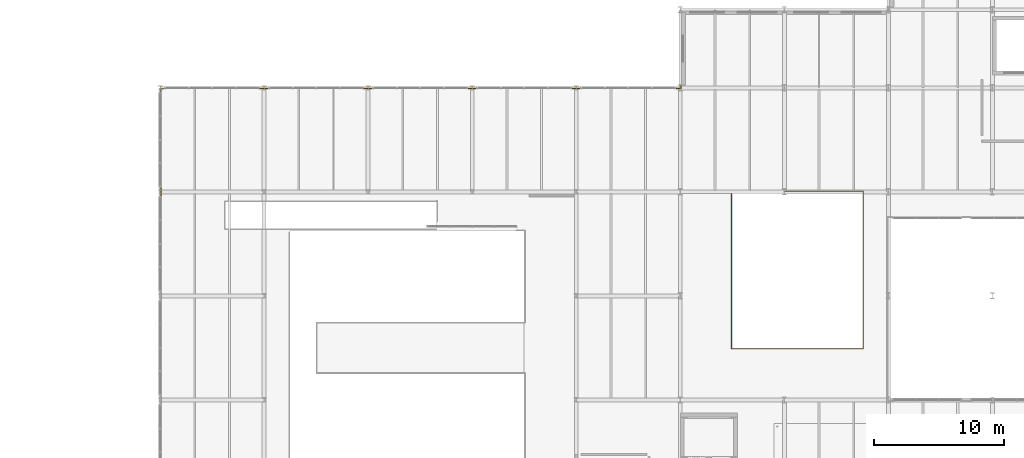
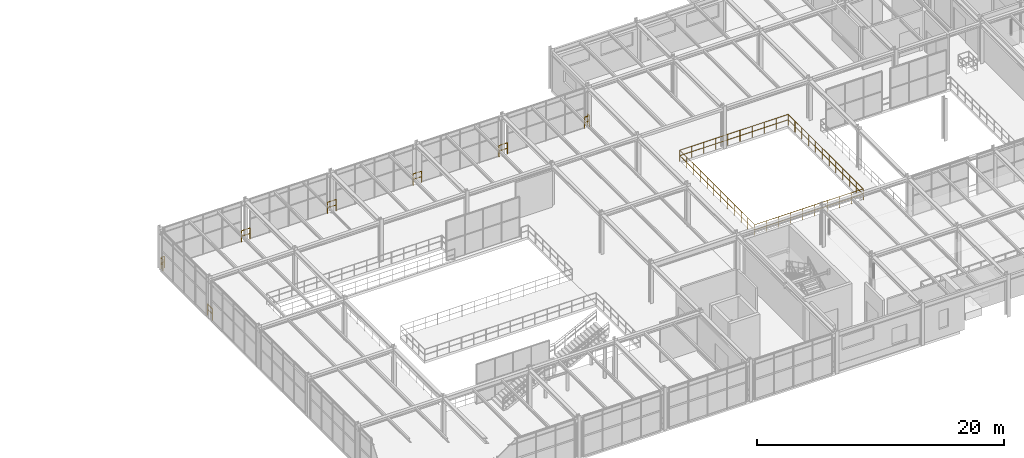
# One storey, part 118 of 124: 8 railings.
"""IFC4 building model written with IfcOpenShell, lengths in metres."""

from ifc_helpers import new_model, si_unit, direction, frame, origin, origin_2d, place, context, subcontext, project, spatial, circle, extrude, material, type_object, element, save


model = new_model("IFC4")

# Units and contexts
model_context = context("Model", 3, precision=1e-05, world=origin(), true_north=direction((0.0, 1.0)))
body_context = subcontext(model_context, "Body", "Model", "MODEL_VIEW")
ifc_project = project(units=[si_unit("LENGTHUNIT", "METRE"), si_unit("AREAUNIT", "SQUARE_METRE"), si_unit("VOLUMEUNIT", "CUBIC_METRE"), si_unit("PLANEANGLEUNIT", "RADIAN"), si_unit("MASSUNIT", "GRAM", prefix="KILO")], contexts=[model_context])

# Site, building, storey
site_placement = place(None, origin())
site = spatial("IfcSite", under=ifc_project, at=site_placement, CompositionType="ELEMENT")
building_placement = place(site_placement, origin())
building = spatial("IfcBuilding", under=site, at=building_placement, Name="Sundkrona Museum", CompositionType="ELEMENT")
storey_placement = place(building_placement, frame((0.0, 0.0, 17.60009765625)))
storey = spatial("IfcBuildingStorey", under=building, at=storey_placement, Name="L03", CompositionType="ELEMENT", Elevation=17.60009765625)

# Railings
ifc_material = material(Name="Painted Steel S355J2 and Laminated Glass Balustrade", Category="steel")
railing_type = type_object("IfcRailingType", Name="RL-GUARD-1100", PredefinedType="BALUSTRADE", material=ifc_material)
railing_1_placement = place(storey_placement, frame((80.06005859375, 31.60009765625, 0.0)))
element("IfcRailing", 1, at=railing_1_placement, inside=storey, type_object=railing_type, Name="L03 Edge Protection Balustrade 021", PredefinedType="BALUSTRADE", context=body_context, shape_type="SweptSolid", body=[
    extrude(circle(Radius=0.02392578125, at=origin_2d()), frame((0.0, 0.0, 1.09619140625), z_axis=(0.0, 1.0, 0.0), x_axis=(-1.0, 0.0, 0.0)), (0.0, 0.0, 1.0), 0.7998046875),
    extrude(circle(Radius=0.02392578125, at=origin_2d()), frame((0.0, 0.0, 0.56005859375), z_axis=(0.0, 1.0, 0.0), x_axis=(-1.0, 0.0, 0.0)), (0.0, 0.0, 1.0), 0.7998046875),
    extrude(circle(Radius=0.02099609375, at=origin_2d()), origin(), (0.0, 0.0, 1.0), 1.072021484375),
    extrude(circle(Radius=0.02099609375, at=origin_2d()), frame((0.0, 0.7998046875, 0.0)), (0.0, 0.0, 1.0), 1.072021484375),
])
railing_2_placement = place(storey_placement, frame((80.06005859375, 39.60009765625, 0.0)))
element("IfcRailing", 2, at=railing_2_placement, inside=storey, type_object=railing_type, Name="L03 Edge Protection Balustrade 022", PredefinedType="BALUSTRADE", context=body_context, shape_type="SweptSolid", body=[
    extrude(circle(Radius=0.02392578125, at=origin_2d()), frame((0.0, 0.0, 1.09619140625), z_axis=(0.0, 1.0, 0.0), x_axis=(-1.0, 0.0, 0.0)), (0.0, 0.0, 1.0), 0.33984375),
    extrude(circle(Radius=0.02392578125, at=origin_2d()), frame((0.0, 0.0, 0.56005859375), z_axis=(0.0, 1.0, 0.0), x_axis=(-1.0, 0.0, 0.0)), (0.0, 0.0, 1.0), 0.33984375),
    extrude(circle(Radius=0.02392578125, at=origin_2d()), frame((0.0, 0.33984375, 1.09619140625), z_axis=(1.0, 0.0, 0.0), x_axis=(0.0, 1.0, 0.0)), (0.0, 0.0, 1.0), 0.33984375),
    extrude(circle(Radius=0.02392578125, at=origin_2d()), frame((0.0, 0.33984375, 0.56005859375), z_axis=(1.0, 0.0, 0.0), x_axis=(0.0, 1.0, 0.0)), (0.0, 0.0, 1.0), 0.33984375),
    extrude(circle(Radius=0.02099609375, at=origin_2d()), origin(), (0.0, 0.0, 1.0), 1.072021484375),
    extrude(circle(Radius=0.02099609375, at=origin_2d()), frame((0.0, 0.33984375, 0.0)), (0.0, 0.0, 1.0), 1.072021484375),
    extrude(circle(Radius=0.02099609375, at=origin_2d()), frame((0.33984375, 0.33984375, 0.0)), (0.0, 0.0, 1.0), 1.072021484375),
])
for number, where, name in (
    (3, (87.60009765625, 39.93994140625, 0.0), "L03 Edge Protection Balustrade 024"),
    (4, (95.60009765625, 39.93994140625, 0.0), "L03 Edge Protection Balustrade 029"),
    (5, (103.60009765625, 39.93994140625, 0.0), "L03 Edge Protection Balustrade 032"),
    (6, (111.60009765625, 39.93994140625, 0.0), "L03 Edge Protection Balustrade 034"),
):
    element("IfcRailing", number, at=place(storey_placement, frame(where)), inside=storey, type_object=railing_type, Name=name, PredefinedType="BALUSTRADE", context=body_context, shape_type="SweptSolid", body=[
        extrude(circle(Radius=0.02392578125, at=origin_2d()), frame((0.0, 0.0, 1.09619140625), z_axis=(1.0, 0.0, 0.0), x_axis=(0.0, 1.0, 0.0)), (0.0, 0.0, 1.0), 0.7998046875),
        extrude(circle(Radius=0.02392578125, at=origin_2d()), frame((0.0, 0.0, 0.56005859375), z_axis=(1.0, 0.0, 0.0), x_axis=(0.0, 1.0, 0.0)), (0.0, 0.0, 1.0), 0.7998046875),
        extrude(circle(Radius=0.02099609375, at=origin_2d()), origin(), (0.0, 0.0, 1.0), 1.072021484375),
        extrude(circle(Radius=0.02099609375, at=origin_2d()), frame((0.7998046875, 0.0, 0.0)), (0.0, 0.0, 1.0), 1.072021484375),
    ])
railing_3_placement = place(storey_placement, frame((119.60009765625, 39.93994140625, 0.0)))
element("IfcRailing", 7, at=railing_3_placement, inside=storey, type_object=railing_type, Name="L03 Edge Protection Balustrade 037", PredefinedType="BALUSTRADE", context=body_context, shape_type="SweptSolid", body=[
    extrude(circle(Radius=0.02392578125, at=origin_2d()), frame((0.0, 0.0, 1.09619140625), z_axis=(1.0, 0.0, 0.0), x_axis=(0.0, 1.0, 0.0)), (0.0, 0.0, 1.0), 0.4599609375),
    extrude(circle(Radius=0.02392578125, at=origin_2d()), frame((0.0, 0.0, 0.56005859375), z_axis=(1.0, 0.0, 0.0), x_axis=(0.0, 1.0, 0.0)), (0.0, 0.0, 1.0), 0.4599609375),
    extrude(circle(Radius=0.02392578125, at=origin_2d()), frame((0.4599609375, 0.0, 1.09619140625), z_axis=(0.0, 1.0, 0.0), x_axis=(-1.0, 0.0, 0.0)), (0.0, 0.0, 1.0), 0.287109375),
    extrude(circle(Radius=0.02392578125, at=origin_2d()), frame((0.4599609375, 0.0, 0.56005859375), z_axis=(0.0, 1.0, 0.0), x_axis=(-1.0, 0.0, 0.0)), (0.0, 0.0, 1.0), 0.287109375),
    extrude(circle(Radius=0.02099609375, at=origin_2d()), origin(), (0.0, 0.0, 1.0), 1.072021484375),
    extrude(circle(Radius=0.02099609375, at=origin_2d()), frame((0.4599609375, 0.0, 0.0)), (0.0, 0.0, 1.0), 1.072021484375),
    extrude(circle(Radius=0.02099609375, at=origin_2d()), frame((0.4599609375, 0.287109375, 0.0)), (0.0, 0.0, 1.0), 1.072021484375),
])
railing_4_placement = place(storey_placement, frame((134.06005859375, 32.06005859375, 0.0)))
element("IfcRailing", 8, at=railing_4_placement, inside=storey, type_object=railing_type, Name="L03 Edge Protection Balustrade 040", PredefinedType="BALUSTRADE", context=body_context, shape_type="SweptSolid", body=[
    extrude(circle(Radius=0.02392578125, at=origin_2d()), frame((0.0, 0.0, 1.09619140625), z_axis=(-1.0, 0.0, 0.0), x_axis=(0.0, -1.0, 0.0)), (0.0, 0.0, 1.0), 10.1201171875),
    extrude(circle(Radius=0.02392578125, at=origin_2d()), frame((0.0, 0.0, 0.56005859375), z_axis=(-1.0, 0.0, 0.0), x_axis=(0.0, -1.0, 0.0)), (0.0, 0.0, 1.0), 10.1201171875),
    extrude(circle(Radius=0.02392578125, at=origin_2d()), frame((-10.1201171875, 0.0, 1.09619140625), z_axis=(0.0, -1.0, 0.0), x_axis=(1.0, 0.0, 0.0)), (0.0, 0.0, 1.0), 12.1201171875),
    extrude(circle(Radius=0.02392578125, at=origin_2d()), frame((-10.1201171875, 0.0, 0.56005859375), z_axis=(0.0, -1.0, 0.0), x_axis=(1.0, 0.0, 0.0)), (0.0, 0.0, 1.0), 12.1201171875),
    extrude(circle(Radius=0.02392578125, at=origin_2d()), frame((-10.1201171875, -12.1201171875, 1.09619140625), z_axis=(1.0, 0.0, 0.0), x_axis=(0.0, 1.0, 0.0)), (0.0, 0.0, 1.0), 10.1201171875),
    extrude(circle(Radius=0.02392578125, at=origin_2d()), frame((-10.1201171875, -12.1201171875, 0.56005859375), z_axis=(1.0, 0.0, 0.0), x_axis=(0.0, 1.0, 0.0)), (0.0, 0.0, 1.0), 10.1201171875),
    extrude(circle(Radius=0.02392578125, at=origin_2d()), frame((0.0, -12.1201171875, 1.09619140625), z_axis=(0.0, 1.0, 0.0), x_axis=(-1.0, 0.0, 0.0)), (0.0, 0.0, 1.0), 12.1201171875),
    extrude(circle(Radius=0.02392578125, at=origin_2d()), frame((0.0, -12.1201171875, 0.56005859375), z_axis=(0.0, 1.0, 0.0), x_axis=(-1.0, 0.0, 0.0)), (0.0, 0.0, 1.0), 12.1201171875),
    extrude(circle(Radius=0.02099609375, at=origin_2d()), origin(), (0.0, 0.0, 1.0), 1.072021484375),
    extrude(circle(Radius=0.02099609375, at=origin_2d()), frame((-1.12451171875, 0.0, 0.0)), (0.0, 0.0, 1.0), 1.072021484375),
    extrude(circle(Radius=0.02099609375, at=origin_2d()), frame((-2.2490234375, 0.0, 0.0)), (0.0, 0.0, 1.0), 1.072021484375),
    extrude(circle(Radius=0.02099609375, at=origin_2d()), frame((-3.373291015625, 0.0, 0.0)), (0.0, 0.0, 1.0), 1.072021484375),
    extrude(circle(Radius=0.02099609375, at=origin_2d()), frame((-4.497802734375, 0.0, 0.0)), (0.0, 0.0, 1.0), 1.072021484375),
    extrude(circle(Radius=0.02099609375, at=origin_2d()), frame((-5.622314453125, 0.0, 0.0)), (0.0, 0.0, 1.0), 1.072021484375),
    extrude(circle(Radius=0.02099609375, at=origin_2d()), frame((-6.746826171875, 0.0, 0.0)), (0.0, 0.0, 1.0), 1.072021484375),
    extrude(circle(Radius=0.02099609375, at=origin_2d()), frame((-7.87109375, 0.0, 0.0)), (0.0, 0.0, 1.0), 1.072021484375),
    extrude(circle(Radius=0.02099609375, at=origin_2d()), frame((-8.99560546875, 0.0, 0.0)), (0.0, 0.0, 1.0), 1.072021484375),
    extrude(circle(Radius=0.02099609375, at=origin_2d()), frame((-10.1201171875, 0.0, 0.0)), (0.0, 0.0, 1.0), 1.072021484375),
    extrude(circle(Radius=0.02099609375, at=origin_2d()), frame((-10.1201171875, -1.101806640625, 0.0)), (0.0, 0.0, 1.0), 1.072021484375),
    extrude(circle(Radius=0.02099609375, at=origin_2d()), frame((-10.1201171875, -2.20361328125, 0.0)), (0.0, 0.0, 1.0), 1.072021484375),
    extrude(circle(Radius=0.02099609375, at=origin_2d()), frame((-10.1201171875, -3.305419921875, 0.0)), (0.0, 0.0, 1.0), 1.072021484375),
    extrude(circle(Radius=0.02099609375, at=origin_2d()), frame((-10.1201171875, -4.4072265625, 0.0)), (0.0, 0.0, 1.0), 1.072021484375),
    extrude(circle(Radius=0.02099609375, at=origin_2d()), frame((-10.1201171875, -5.509033203125, 0.0)), (0.0, 0.0, 1.0), 1.072021484375),
    extrude(circle(Radius=0.02099609375, at=origin_2d()), frame((-10.1201171875, -6.611083984375, 0.0)), (0.0, 0.0, 1.0), 1.072021484375),
    extrude(circle(Radius=0.02099609375, at=origin_2d()), frame((-10.1201171875, -7.712890625, 0.0)), (0.0, 0.0, 1.0), 1.072021484375),
    extrude(circle(Radius=0.02099609375, at=origin_2d()), frame((-10.1201171875, -8.814697265625, 0.0)), (0.0, 0.0, 1.0), 1.072021484375),
    extrude(circle(Radius=0.02099609375, at=origin_2d()), frame((-10.1201171875, -9.91650390625, 0.0)), (0.0, 0.0, 1.0), 1.072021484375),
    extrude(circle(Radius=0.02099609375, at=origin_2d()), frame((-10.1201171875, -11.018310546875, 0.0)), (0.0, 0.0, 1.0), 1.072021484375),
    extrude(circle(Radius=0.02099609375, at=origin_2d()), frame((-10.1201171875, -12.1201171875, 0.0)), (0.0, 0.0, 1.0), 1.072021484375),
    extrude(circle(Radius=0.02099609375, at=origin_2d()), frame((-8.99560546875, -12.1201171875, 0.0)), (0.0, 0.0, 1.0), 1.072021484375),
    extrude(circle(Radius=0.02099609375, at=origin_2d()), frame((-7.87109375, -12.1201171875, 0.0)), (0.0, 0.0, 1.0), 1.072021484375),
    extrude(circle(Radius=0.02099609375, at=origin_2d()), frame((-6.746826171875, -12.1201171875, 0.0)), (0.0, 0.0, 1.0), 1.072021484375),
    extrude(circle(Radius=0.02099609375, at=origin_2d()), frame((-5.622314453125, -12.1201171875, 0.0)), (0.0, 0.0, 1.0), 1.072021484375),
    extrude(circle(Radius=0.02099609375, at=origin_2d()), frame((-4.497802734375, -12.1201171875, 0.0)), (0.0, 0.0, 1.0), 1.072021484375),
    extrude(circle(Radius=0.02099609375, at=origin_2d()), frame((-3.373291015625, -12.1201171875, 0.0)), (0.0, 0.0, 1.0), 1.072021484375),
    extrude(circle(Radius=0.02099609375, at=origin_2d()), frame((-2.2490234375, -12.1201171875, 0.0)), (0.0, 0.0, 1.0), 1.072021484375),
    extrude(circle(Radius=0.02099609375, at=origin_2d()), frame((-1.12451171875, -12.1201171875, 0.0)), (0.0, 0.0, 1.0), 1.072021484375),
    extrude(circle(Radius=0.02099609375, at=origin_2d()), frame((0.0, -12.1201171875, 0.0)), (0.0, 0.0, 1.0), 1.072021484375),
    extrude(circle(Radius=0.02099609375, at=origin_2d()), frame((0.0, -11.018310546875, 0.0)), (0.0, 0.0, 1.0), 1.072021484375),
    extrude(circle(Radius=0.02099609375, at=origin_2d()), frame((0.0, -9.91650390625, 0.0)), (0.0, 0.0, 1.0), 1.072021484375),
    extrude(circle(Radius=0.02099609375, at=origin_2d()), frame((0.0, -8.814697265625, 0.0)), (0.0, 0.0, 1.0), 1.072021484375),
    extrude(circle(Radius=0.02099609375, at=origin_2d()), frame((0.0, -7.712890625, 0.0)), (0.0, 0.0, 1.0), 1.072021484375),
    extrude(circle(Radius=0.02099609375, at=origin_2d()), frame((0.0, -6.611083984375, 0.0)), (0.0, 0.0, 1.0), 1.072021484375),
    extrude(circle(Radius=0.02099609375, at=origin_2d()), frame((0.0, -5.509033203125, 0.0)), (0.0, 0.0, 1.0), 1.072021484375),
    extrude(circle(Radius=0.02099609375, at=origin_2d()), frame((0.0, -4.4072265625, 0.0)), (0.0, 0.0, 1.0), 1.072021484375),
    extrude(circle(Radius=0.02099609375, at=origin_2d()), frame((0.0, -3.305419921875, 0.0)), (0.0, 0.0, 1.0), 1.072021484375),
    extrude(circle(Radius=0.02099609375, at=origin_2d()), frame((0.0, -2.20361328125, 0.0)), (0.0, 0.0, 1.0), 1.072021484375),
    extrude(circle(Radius=0.02099609375, at=origin_2d()), frame((0.0, -1.101806640625, 0.0)), (0.0, 0.0, 1.0), 1.072021484375),
])

save(model, "model.ifc")
